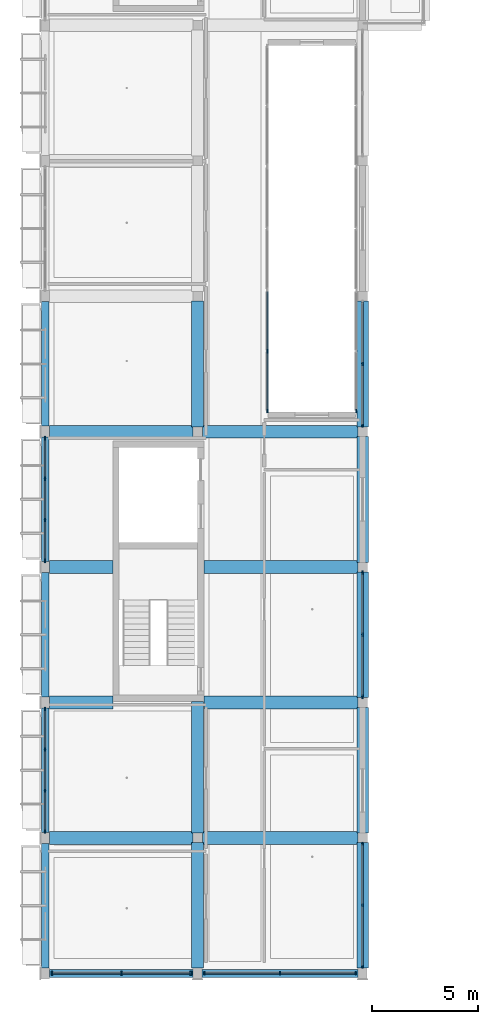
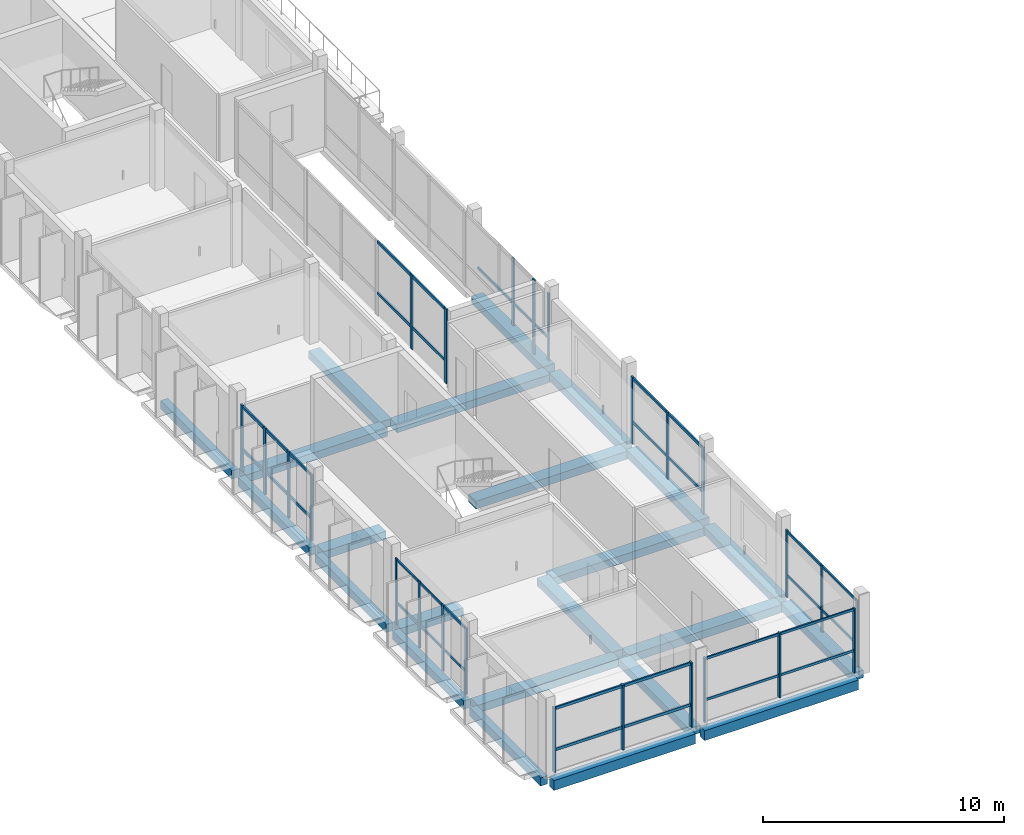
# One storey, part 3 of 48: 40 members, 23 beams, 9 elements without a shape of their own.
"""IFC4 building model written with IfcOpenShell, lengths in metres."""

from ifc_helpers import new_model, si_unit, derived_unit, direction, frame, origin, origin_2d, place, context, subcontext, project, spatial, rectangle, extrude, material, material_profile, profile_set, type_object, element, aggregate, save


model = new_model("IFC4")

# Units and contexts
model_context = context("Model", 3, precision=1e-05, world=origin(), true_north=direction((0.0, 1.0)))
body_context = subcontext(model_context, "Body", "Model", "MODEL_VIEW")
ifc_project = project(units=[si_unit("LENGTHUNIT", "METRE"), si_unit("AREAUNIT", "SQUARE_METRE"), si_unit("VOLUMEUNIT", "CUBIC_METRE"), si_unit("PLANEANGLEUNIT", "RADIAN"), si_unit("MASSUNIT", "GRAM", prefix="KILO"), derived_unit("THERMALTRANSMITTANCEUNIT", [(si_unit("POWERUNIT", "WATT"), 1), (si_unit("LENGTHUNIT", "METRE"), -2), (si_unit("THERMODYNAMICTEMPERATUREUNIT", "KELVIN"), -1)])], contexts=[model_context])

# Site, building, storey
site_placement = place(None, origin())
site = spatial("IfcSite", under=ifc_project, at=site_placement, CompositionType="ELEMENT")
building_placement = place(site_placement, origin())
building = spatial("IfcBuilding", under=site, at=building_placement, Name="Braskholm Square Health Centre", CompositionType="ELEMENT")
storey_placement = place(building_placement, frame((0.0, 0.0, 17.550048828125)))
storey = spatial("IfcBuildingStorey", under=building, at=storey_placement, Name="L05", CompositionType="ELEMENT", Elevation=17.550048828125)

# Curtain wall, members
ifc_material_1 = material(Name="Low-E triple insulating glass (VLT 0.64)", Category="glass")
curtain_wall_type_1 = type_object("IfcCurtainWallType", Name="UnitisedCurtainWall6200x3650", PredefinedType="NOTDEFINED", material=ifc_material_1)
curtain_wall_1_placement = place(storey_placement, origin())
curtain_wall_1 = element("IfcCurtainWall", 1, at=curtain_wall_1_placement, inside=storey, type_object=curtain_wall_type_1, Name="West Outer unitised curtain wall CW-L05-0030", PredefinedType="NOTDEFINED")
ifc_material_2 = material(Name="Architectural bronze anodised aluminium", Category="aluminium")
ifc_material_profile_1 = material_profile(ifc_material_2, rectangle(XDim=0.06494140625, YDim=0.14990234375, at=origin_2d()), Name="ALU-65X150")
ifc_profile_set_1 = profile_set([ifc_material_profile_1], Name="Architectural bronze anodised aluminium")
member_type_1 = type_object("IfcMemberType", Name="CurtainWallMullion65x150", PredefinedType="MULLION", material=ifc_profile_set_1)
member_1_placement = place(storey_placement, frame((4.199951171875, 16.69482421875, 0.0), z_axis=(0.0, 0.0, 1.0), x_axis=(1.0, 0.0, 0.0)))
member_1 = element("IfcMember", 2, at=member_1_placement, type_object=member_type_1, Name="CW-L05-0030 vertical mullion 1", PredefinedType="MULLION", context=body_context, shape_type="SweptSolid", body=[
    extrude(rectangle(XDim=0.06494140625, YDim=0.14990234375, at=origin_2d()), origin(), (0.0, 0.0, 1.0), 3.349853515625),
])
member_2_placement = place(storey_placement, frame((4.199951171875, 14.776611328125, 0.0), z_axis=(0.0, 0.0, 1.0), x_axis=(1.0, 0.0, 0.0)))
member_2 = element("IfcMember", 3, at=member_2_placement, type_object=member_type_1, Name="CW-L05-0030 vertical mullion 2", PredefinedType="MULLION", context=body_context, shape_type="SweptSolid", body=[
    extrude(rectangle(XDim=0.06494140625, YDim=0.14990234375, at=origin_2d()), origin(), (0.0, 0.0, 1.0), 3.349853515625),
])
member_3_placement = place(storey_placement, frame((4.199951171875, 12.8232421875, 0.0), z_axis=(0.0, 0.0, 1.0), x_axis=(1.0, 0.0, 0.0)))
member_3 = element("IfcMember", 4, at=member_3_placement, type_object=member_type_1, Name="CW-L05-0030 vertical mullion 3", PredefinedType="MULLION", context=body_context, shape_type="SweptSolid", body=[
    extrude(rectangle(XDim=0.06494140625, YDim=0.14990234375, at=origin_2d()), origin(), (0.0, 0.0, 1.0), 3.349853515625),
])
member_4_placement = place(storey_placement, frame((4.199951171875, 10.9052734375, 0.0), z_axis=(0.0, 0.0, 1.0), x_axis=(1.0, 0.0, 0.0)))
member_4 = element("IfcMember", 5, at=member_4_placement, type_object=member_type_1, Name="CW-L05-0030 vertical mullion 4", PredefinedType="MULLION", context=body_context, shape_type="SweptSolid", body=[
    extrude(rectangle(XDim=0.06494140625, YDim=0.14990234375, at=origin_2d()), origin(), (0.0, 0.0, 1.0), 3.349853515625),
])

curtain_wall_2_placement = place(storey_placement, origin())
curtain_wall_2 = element("IfcCurtainWall", 6, at=curtain_wall_2_placement, inside=storey, type_object=curtain_wall_type_1, Name="West Valley unitised curtain wall CW-L05-0102", PredefinedType="NOTDEFINED")
member_5_placement = place(storey_placement, frame((19.199951171875, 4.50537109375, 0.0), z_axis=(0.0, 0.0, 1.0), x_axis=(1.0, 0.0, 0.0)))
member_5 = element("IfcMember", 7, at=member_5_placement, type_object=member_type_1, Name="CW-L05-0102 vertical mullion 1", PredefinedType="MULLION", context=body_context, shape_type="SweptSolid", body=[
    extrude(rectangle(XDim=0.06494140625, YDim=0.14990234375, at=origin_2d()), origin(), (0.0, 0.0, 1.0), 3.389892578125),
])
member_6_placement = place(storey_placement, frame((19.199951171875, 7.4150390625, 0.0), z_axis=(0.0, 0.0, 1.0), x_axis=(1.0, 0.0, 0.0)))
member_6 = element("IfcMember", 8, at=member_6_placement, type_object=member_type_1, Name="CW-L05-0102 vertical mullion 2", PredefinedType="MULLION", context=body_context, shape_type="SweptSolid", body=[
    extrude(rectangle(XDim=0.06494140625, YDim=0.14990234375, at=origin_2d()), origin(), (0.0, 0.0, 1.0), 3.389892578125),
])
member_7_placement = place(storey_placement, frame((19.199951171875, 10.32470703125, 0.0), z_axis=(0.0, 0.0, 1.0), x_axis=(1.0, 0.0, 0.0)))
member_7 = element("IfcMember", 9, at=member_7_placement, type_object=member_type_1, Name="CW-L05-0102 vertical mullion 3", PredefinedType="MULLION", context=body_context, shape_type="SweptSolid", body=[
    extrude(rectangle(XDim=0.06494140625, YDim=0.14990234375, at=origin_2d()), origin(), (0.0, 0.0, 1.0), 3.389892578125),
])

curtain_wall_3_placement = place(storey_placement, origin())
curtain_wall_3 = element("IfcCurtainWall", 10, at=curtain_wall_3_placement, inside=storey, type_object=curtain_wall_type_1, Name="West Valley unitised curtain wall CW-L05-0104", PredefinedType="NOTDEFINED")
member_8_placement = place(storey_placement, frame((19.199951171875, 30.075439453125, 0.0), z_axis=(0.0, 0.0, 1.0), x_axis=(1.0, 0.0, 0.0)))
member_8 = element("IfcMember", 11, at=member_8_placement, type_object=member_type_1, Name="CW-L05-0104 vertical mullion 1", PredefinedType="MULLION", context=body_context, shape_type="SweptSolid", body=[
    extrude(rectangle(XDim=0.06494140625, YDim=0.14990234375, at=origin_2d()), origin(), (0.0, 0.0, 1.0), 3.389892578125),
])
member_9_placement = place(storey_placement, frame((19.199951171875, 33.0, 0.0), z_axis=(0.0, 0.0, 1.0), x_axis=(1.0, 0.0, 0.0)))
member_9 = element("IfcMember", 12, at=member_9_placement, type_object=member_type_1, Name="CW-L05-0104 vertical mullion 2", PredefinedType="MULLION", context=body_context, shape_type="SweptSolid", body=[
    extrude(rectangle(XDim=0.06494140625, YDim=0.14990234375, at=origin_2d()), origin(), (0.0, 0.0, 1.0), 3.389892578125),
])

curtain_wall_4_placement = place(storey_placement, origin())
curtain_wall_4 = element("IfcCurtainWall", 13, at=curtain_wall_4_placement, inside=storey, type_object=curtain_wall_type_1, Name="Wing End unitised curtain wall CW-L05-0150", PredefinedType="NOTDEFINED")
member_10_placement = place(storey_placement, frame((11.723388671875, 4.199951171875, 0.0), z_axis=(0.0, 0.0, 1.0), x_axis=(1.0, 0.0, 0.0)))
member_10 = element("IfcMember", 14, at=member_10_placement, type_object=member_type_1, Name="CW-L05-0150 vertical mullion 1", PredefinedType="MULLION", context=body_context, shape_type="SweptSolid", body=[
    extrude(rectangle(XDim=0.06494140625, YDim=0.14990234375, at=origin_2d()), origin(), (0.0, 0.0, 1.0), 3.27001953125),
])
member_11_placement = place(storey_placement, frame((15.300048828125, 4.199951171875, 0.0), z_axis=(0.0, 0.0, 1.0), x_axis=(1.0, 0.0, 0.0)))
member_11 = element("IfcMember", 15, at=member_11_placement, type_object=member_type_1, Name="CW-L05-0150 vertical mullion 2", PredefinedType="MULLION", context=body_context, shape_type="SweptSolid", body=[
    extrude(rectangle(XDim=0.06494140625, YDim=0.14990234375, at=origin_2d()), origin(), (0.0, 0.0, 1.0), 3.27001953125),
])
member_12_placement = place(storey_placement, frame((18.876708984375, 4.199951171875, 0.0), z_axis=(0.0, 0.0, 1.0), x_axis=(1.0, 0.0, 0.0)))
member_12 = element("IfcMember", 16, at=member_12_placement, type_object=member_type_1, Name="CW-L05-0150 vertical mullion 3", PredefinedType="MULLION", context=body_context, shape_type="SweptSolid", body=[
    extrude(rectangle(XDim=0.06494140625, YDim=0.14990234375, at=origin_2d()), origin(), (0.0, 0.0, 1.0), 3.27001953125),
])

# Curtain wall, member
curtain_wall_type_2 = type_object("IfcCurtainWallType", Name="UnitisedCurtainWall5400x3800", PredefinedType="NOTDEFINED", material=ifc_material_1)
curtain_wall_5_placement = place(storey_placement, origin())
curtain_wall_5 = element("IfcCurtainWall", 17, at=curtain_wall_5_placement, inside=storey, type_object=curtain_wall_type_2, Name="WC1 Court E unitised curtain wall CW-L05-0274", PredefinedType="NOTDEFINED")
member_13_placement = place(storey_placement, frame((18.89990234375, 30.7744140625, 0.0), z_axis=(0.0, 0.0, 1.0), x_axis=(1.0, 0.0, 0.0)))
member_13 = element("IfcMember", 18, at=member_13_placement, type_object=member_type_1, Name="CW-L05-0274 vertical mullion 3", PredefinedType="MULLION", context=body_context, shape_type="SweptSolid", body=[
    extrude(rectangle(XDim=0.06494140625, YDim=0.14990234375, at=origin_2d()), origin(), (0.0, 0.0, 1.0), 3.77001953125),
])
aggregate(curtain_wall_5, [member_13])

# Curtain wall, members
curtain_wall_6_placement = place(storey_placement, origin())
curtain_wall_6 = element("IfcCurtainWall", 19, at=curtain_wall_6_placement, inside=storey, type_object=curtain_wall_type_1, Name="West Outer unitised curtain wall CW-L05-0031", PredefinedType="NOTDEFINED")
ifc_material_profile_2 = material_profile(ifc_material_2, rectangle(XDim=0.074951171875, YDim=0.179931640625, at=origin_2d()), Name="ALU-75X180")
ifc_profile_set_2 = profile_set([ifc_material_profile_2], Name="Architectural bronze anodised aluminium")
member_type_2 = type_object("IfcMemberType", Name="CurtainWallMullion75x180", PredefinedType="MULLION", material=ifc_profile_set_2)
member_14_placement = place(storey_placement, frame((4.199951171875, 29.494873046875, 0.0), z_axis=(0.0, 0.0, 1.0), x_axis=(1.0, 0.0, 0.0)))
member_14 = element("IfcMember", 20, at=member_14_placement, type_object=member_type_2, Name="CW-L05-0031 vertical mullion 1", PredefinedType="MULLION", context=body_context, shape_type="SweptSolid", body=[
    extrude(rectangle(XDim=0.074951171875, YDim=0.179931640625, at=origin_2d()), origin(), (0.0, 0.0, 1.0), 3.349853515625),
])
member_15_placement = place(storey_placement, frame((4.199951171875, 27.57666015625, 0.0), z_axis=(0.0, 0.0, 1.0), x_axis=(1.0, 0.0, 0.0)))
member_15 = element("IfcMember", 21, at=member_15_placement, type_object=member_type_2, Name="CW-L05-0031 vertical mullion 2", PredefinedType="MULLION", context=body_context, shape_type="SweptSolid", body=[
    extrude(rectangle(XDim=0.074951171875, YDim=0.179931640625, at=origin_2d()), origin(), (0.0, 0.0, 1.0), 3.349853515625),
])
member_16_placement = place(storey_placement, frame((4.199951171875, 25.623291015625, 0.0), z_axis=(0.0, 0.0, 1.0), x_axis=(1.0, 0.0, 0.0)))
member_16 = element("IfcMember", 22, at=member_16_placement, type_object=member_type_2, Name="CW-L05-0031 vertical mullion 3", PredefinedType="MULLION", context=body_context, shape_type="SweptSolid", body=[
    extrude(rectangle(XDim=0.074951171875, YDim=0.179931640625, at=origin_2d()), origin(), (0.0, 0.0, 1.0), 3.349853515625),
])
member_17_placement = place(storey_placement, frame((4.199951171875, 23.705078125, 0.0), z_axis=(0.0, 0.0, 1.0), x_axis=(1.0, 0.0, 0.0)))
member_17 = element("IfcMember", 23, at=member_17_placement, type_object=member_type_2, Name="CW-L05-0031 vertical mullion 4", PredefinedType="MULLION", context=body_context, shape_type="SweptSolid", body=[
    extrude(rectangle(XDim=0.074951171875, YDim=0.179931640625, at=origin_2d()), origin(), (0.0, 0.0, 1.0), 3.349853515625),
])

curtain_wall_7_placement = place(storey_placement, origin())
curtain_wall_7 = element("IfcCurtainWall", 24, at=curtain_wall_7_placement, inside=storey, type_object=curtain_wall_type_1, Name="West Valley unitised curtain wall CW-L05-0103", PredefinedType="NOTDEFINED")
member_18_placement = place(storey_placement, frame((19.199951171875, 17.275390625, 0.0), z_axis=(0.0, 0.0, 1.0), x_axis=(1.0, 0.0, 0.0)))
member_18 = element("IfcMember", 25, at=member_18_placement, type_object=member_type_2, Name="CW-L05-0103 vertical mullion 1", PredefinedType="MULLION", context=body_context, shape_type="SweptSolid", body=[
    extrude(rectangle(XDim=0.074951171875, YDim=0.179931640625, at=origin_2d()), origin(), (0.0, 0.0, 1.0), 3.389892578125),
])
member_19_placement = place(storey_placement, frame((19.199951171875, 20.199951171875, 0.0), z_axis=(0.0, 0.0, 1.0), x_axis=(1.0, 0.0, 0.0)))
member_19 = element("IfcMember", 26, at=member_19_placement, type_object=member_type_2, Name="CW-L05-0103 vertical mullion 2", PredefinedType="MULLION", context=body_context, shape_type="SweptSolid", body=[
    extrude(rectangle(XDim=0.074951171875, YDim=0.179931640625, at=origin_2d()), origin(), (0.0, 0.0, 1.0), 3.389892578125),
])
member_20_placement = place(storey_placement, frame((19.199951171875, 23.12451171875, 0.0), z_axis=(0.0, 0.0, 1.0), x_axis=(1.0, 0.0, 0.0)))
member_20 = element("IfcMember", 27, at=member_20_placement, type_object=member_type_2, Name="CW-L05-0103 vertical mullion 3", PredefinedType="MULLION", context=body_context, shape_type="SweptSolid", body=[
    extrude(rectangle(XDim=0.074951171875, YDim=0.179931640625, at=origin_2d()), origin(), (0.0, 0.0, 1.0), 3.389892578125),
])

curtain_wall_8_placement = place(storey_placement, origin())
curtain_wall_8 = element("IfcCurtainWall", 28, at=curtain_wall_8_placement, inside=storey, type_object=curtain_wall_type_1, Name="Wing End unitised curtain wall CW-L05-0149", PredefinedType="NOTDEFINED")
member_21_placement = place(storey_placement, frame((4.519775390625, 4.199951171875, 0.0), z_axis=(0.0, 0.0, 1.0), x_axis=(1.0, 0.0, 0.0)))
member_21 = element("IfcMember", 29, at=member_21_placement, type_object=member_type_2, Name="CW-L05-0149 vertical mullion 1", PredefinedType="MULLION", context=body_context, shape_type="SweptSolid", body=[
    extrude(rectangle(XDim=0.074951171875, YDim=0.179931640625, at=origin_2d()), origin(), (0.0, 0.0, 1.0), 3.27001953125),
])
member_22_placement = place(storey_placement, frame((7.800048828125, 4.199951171875, 0.0), z_axis=(0.0, 0.0, 1.0), x_axis=(1.0, 0.0, 0.0)))
member_22 = element("IfcMember", 30, at=member_22_placement, type_object=member_type_2, Name="CW-L05-0149 vertical mullion 2", PredefinedType="MULLION", context=body_context, shape_type="SweptSolid", body=[
    extrude(rectangle(XDim=0.074951171875, YDim=0.179931640625, at=origin_2d()), origin(), (0.0, 0.0, 1.0), 3.27001953125),
])
member_23_placement = place(storey_placement, frame((11.080078125, 4.199951171875, 0.0), z_axis=(0.0, 0.0, 1.0), x_axis=(1.0, 0.0, 0.0)))
member_23 = element("IfcMember", 31, at=member_23_placement, type_object=member_type_2, Name="CW-L05-0149 vertical mullion 3", PredefinedType="MULLION", context=body_context, shape_type="SweptSolid", body=[
    extrude(rectangle(XDim=0.074951171875, YDim=0.179931640625, at=origin_2d()), origin(), (0.0, 0.0, 1.0), 3.27001953125),
])

curtain_wall_9_placement = place(storey_placement, origin())
curtain_wall_9 = element("IfcCurtainWall", 32, at=curtain_wall_9_placement, inside=storey, type_object=curtain_wall_type_2, Name="WC1 Court W unitised curtain wall CW-L05-0273", PredefinedType="NOTDEFINED")
member_24_placement = place(storey_placement, frame((14.699951171875, 30.7744140625, 0.0), z_axis=(0.0, 0.0, 1.0), x_axis=(1.0, 0.0, 0.0)))
member_24 = element("IfcMember", 33, at=member_24_placement, type_object=member_type_2, Name="CW-L05-0273 vertical mullion 1", PredefinedType="MULLION", context=body_context, shape_type="SweptSolid", body=[
    extrude(rectangle(XDim=0.074951171875, YDim=0.179931640625, at=origin_2d()), origin(), (0.0, 0.0, 1.0), 3.77001953125),
])
member_25_placement = place(storey_placement, frame((14.699951171875, 33.60107421875, 0.0), z_axis=(0.0, 0.0, 1.0), x_axis=(1.0, 0.0, 0.0)))
member_25 = element("IfcMember", 34, at=member_25_placement, type_object=member_type_2, Name="CW-L05-0273 vertical mullion 2", PredefinedType="MULLION", context=body_context, shape_type="SweptSolid", body=[
    extrude(rectangle(XDim=0.074951171875, YDim=0.179931640625, at=origin_2d()), origin(), (0.0, 0.0, 1.0), 3.77001953125),
])

# Member
ifc_material_profile_3 = material_profile(ifc_material_2, rectangle(XDim=0.06494140625, YDim=0.1201171875, at=origin_2d()), Name="ALU-65X120")
ifc_profile_set_3 = profile_set([ifc_material_profile_3], Name="Architectural bronze anodised aluminium")
member_type_3 = type_object("IfcMemberType", Name="CurtainWallTransom65x120", PredefinedType="USERDEFINED", material=ifc_profile_set_3)
member_26_placement = place(storey_placement, frame((4.199951171875, 16.68505859375, 1.119873046875), z_axis=(0.0, -1.0, 0.0), x_axis=(1.0, 0.0, 0.0)))
member_26 = element("IfcMember", 35, at=member_26_placement, type_object=member_type_3, Name="CW-L05-0030 horizontal transom 1", ObjectType="TRANSOM", PredefinedType="USERDEFINED", context=body_context, shape_type="SweptSolid", body=[
    extrude(rectangle(XDim=0.06494140625, YDim=0.1201171875, at=origin_2d()), origin(), (0.0, 0.0, 1.0), 5.77001953125),
])

member_27_placement = place(storey_placement, frame((4.199951171875, 16.68505859375, 3.280029296875), z_axis=(0.0, -1.0, 0.0), x_axis=(1.0, 0.0, 0.0)))
member_27 = element("IfcMember", 36, at=member_27_placement, type_object=member_type_3, Name="CW-L05-0030 horizontal transom 2", ObjectType="TRANSOM", PredefinedType="USERDEFINED", context=body_context, shape_type="SweptSolid", body=[
    extrude(rectangle(XDim=0.06494140625, YDim=0.1201171875, at=origin_2d()), origin(), (0.0, 0.0, 1.0), 5.77001953125),
])

aggregate(curtain_wall_1, [member_1, member_2, member_3, member_4, member_26, member_27])

member_28_placement = place(storey_placement, frame((19.199951171875, 4.514892578125, 1.119873046875), z_axis=(0.0, 1.0, 0.0), x_axis=(-1.0, 0.0, 0.0)))
member_28 = element("IfcMember", 37, at=member_28_placement, type_object=member_type_3, Name="CW-L05-0102 horizontal transom 1", ObjectType="TRANSOM", PredefinedType="USERDEFINED", context=body_context, shape_type="SweptSolid", body=[
    extrude(rectangle(XDim=0.06494140625, YDim=0.1201171875, at=origin_2d()), origin(), (0.0, 0.0, 1.0), 5.800048828125),
])

member_29_placement = place(storey_placement, frame((19.199951171875, 4.514892578125, 3.320068359375), z_axis=(0.0, 1.0, 0.0), x_axis=(-1.0, 0.0, 0.0)))
member_29 = element("IfcMember", 38, at=member_29_placement, type_object=member_type_3, Name="CW-L05-0102 horizontal transom 2", ObjectType="TRANSOM", PredefinedType="USERDEFINED", context=body_context, shape_type="SweptSolid", body=[
    extrude(rectangle(XDim=0.06494140625, YDim=0.1201171875, at=origin_2d()), origin(), (0.0, 0.0, 1.0), 5.800048828125),
])

aggregate(curtain_wall_2, [member_5, member_6, member_7, member_28, member_29])

member_30_placement = place(storey_placement, frame((19.199951171875, 30.0849609375, 1.119873046875), z_axis=(0.0, 1.0, 0.0), x_axis=(-1.0, 0.0, 0.0)))
member_30 = element("IfcMember", 39, at=member_30_placement, type_object=member_type_3, Name="CW-L05-0104 horizontal transom 1", ObjectType="TRANSOM", PredefinedType="USERDEFINED", context=body_context, shape_type="SweptSolid", body=[
    extrude(rectangle(XDim=0.06494140625, YDim=0.1201171875, at=origin_2d()), origin(), (0.0, 0.0, 1.0), 5.830078125),
])

aggregate(curtain_wall_3, [member_8, member_9, member_30])

member_31_placement = place(storey_placement, frame((11.72509765625, 4.199951171875, 1.119873046875), z_axis=(1.0, 0.0, 0.0), x_axis=(0.0, 1.0, 0.0)))
member_31 = element("IfcMember", 40, at=member_31_placement, type_object=member_type_3, Name="CW-L05-0150 horizontal transom 1", ObjectType="TRANSOM", PredefinedType="USERDEFINED", context=body_context, shape_type="SweptSolid", body=[
    extrude(rectangle(XDim=0.06494140625, YDim=0.1201171875, at=origin_2d()), origin(), (0.0, 0.0, 1.0), 7.14990234375),
])

member_32_placement = place(storey_placement, frame((11.72509765625, 4.199951171875, 3.199951171875), z_axis=(1.0, 0.0, 0.0), x_axis=(0.0, 1.0, 0.0)))
member_32 = element("IfcMember", 41, at=member_32_placement, type_object=member_type_3, Name="CW-L05-0150 horizontal transom 2", ObjectType="TRANSOM", PredefinedType="USERDEFINED", context=body_context, shape_type="SweptSolid", body=[
    extrude(rectangle(XDim=0.06494140625, YDim=0.1201171875, at=origin_2d()), origin(), (0.0, 0.0, 1.0), 7.14990234375),
])

aggregate(curtain_wall_4, [member_10, member_11, member_12, member_31, member_32])

ifc_material_profile_4 = material_profile(ifc_material_2, rectangle(XDim=0.074951171875, YDim=0.139892578125, at=origin_2d()), Name="ALU-75X140")
ifc_profile_set_4 = profile_set([ifc_material_profile_4], Name="Architectural bronze anodised aluminium")
member_type_4 = type_object("IfcMemberType", Name="CurtainWallTransom75x140", PredefinedType="USERDEFINED", material=ifc_profile_set_4)
member_33_placement = place(storey_placement, frame((4.199951171875, 29.485107421875, 1.119873046875), z_axis=(0.0, -1.0, 0.0), x_axis=(1.0, 0.0, 0.0)))
member_33 = element("IfcMember", 42, at=member_33_placement, type_object=member_type_4, Name="CW-L05-0031 horizontal transom 1", ObjectType="TRANSOM", PredefinedType="USERDEFINED", context=body_context, shape_type="SweptSolid", body=[
    extrude(rectangle(XDim=0.074951171875, YDim=0.139892578125, at=origin_2d()), origin(), (0.0, 0.0, 1.0), 5.77001953125),
])

member_34_placement = place(storey_placement, frame((4.199951171875, 29.485107421875, 3.280029296875), z_axis=(0.0, -1.0, 0.0), x_axis=(1.0, 0.0, 0.0)))
member_34 = element("IfcMember", 43, at=member_34_placement, type_object=member_type_4, Name="CW-L05-0031 horizontal transom 2", ObjectType="TRANSOM", PredefinedType="USERDEFINED", context=body_context, shape_type="SweptSolid", body=[
    extrude(rectangle(XDim=0.074951171875, YDim=0.139892578125, at=origin_2d()), origin(), (0.0, 0.0, 1.0), 5.77001953125),
])

aggregate(curtain_wall_6, [member_14, member_15, member_16, member_17, member_33, member_34])

member_35_placement = place(storey_placement, frame((19.199951171875, 17.284912109375, 1.119873046875), z_axis=(0.0, 1.0, 0.0), x_axis=(-1.0, 0.0, 0.0)))
member_35 = element("IfcMember", 44, at=member_35_placement, type_object=member_type_4, Name="CW-L05-0103 horizontal transom 1", ObjectType="TRANSOM", PredefinedType="USERDEFINED", context=body_context, shape_type="SweptSolid", body=[
    extrude(rectangle(XDim=0.074951171875, YDim=0.139892578125, at=origin_2d()), origin(), (0.0, 0.0, 1.0), 5.830078125),
])

member_36_placement = place(storey_placement, frame((19.199951171875, 17.284912109375, 3.320068359375), z_axis=(0.0, 1.0, 0.0), x_axis=(-1.0, 0.0, 0.0)))
member_36 = element("IfcMember", 45, at=member_36_placement, type_object=member_type_4, Name="CW-L05-0103 horizontal transom 2", ObjectType="TRANSOM", PredefinedType="USERDEFINED", context=body_context, shape_type="SweptSolid", body=[
    extrude(rectangle(XDim=0.074951171875, YDim=0.139892578125, at=origin_2d()), origin(), (0.0, 0.0, 1.0), 5.830078125),
])

aggregate(curtain_wall_7, [member_18, member_19, member_20, member_35, member_36])

member_37_placement = place(storey_placement, frame((4.52490234375, 4.199951171875, 1.119873046875), z_axis=(1.0, 0.0, 0.0), x_axis=(0.0, 1.0, 0.0)))
member_37 = element("IfcMember", 46, at=member_37_placement, type_object=member_type_4, Name="CW-L05-0149 horizontal transom 1", ObjectType="TRANSOM", PredefinedType="USERDEFINED", context=body_context, shape_type="SweptSolid", body=[
    extrude(rectangle(XDim=0.074951171875, YDim=0.139892578125, at=origin_2d()), origin(), (0.0, 0.0, 1.0), 6.550048828125),
])

member_38_placement = place(storey_placement, frame((4.52490234375, 4.199951171875, 3.199951171875), z_axis=(1.0, 0.0, 0.0), x_axis=(0.0, 1.0, 0.0)))
member_38 = element("IfcMember", 47, at=member_38_placement, type_object=member_type_4, Name="CW-L05-0149 horizontal transom 2", ObjectType="TRANSOM", PredefinedType="USERDEFINED", context=body_context, shape_type="SweptSolid", body=[
    extrude(rectangle(XDim=0.074951171875, YDim=0.139892578125, at=origin_2d()), origin(), (0.0, 0.0, 1.0), 6.550048828125),
])

aggregate(curtain_wall_8, [member_21, member_22, member_23, member_37, member_38])

member_39_placement = place(storey_placement, frame((14.699951171875, 30.784912109375, 1.119873046875), z_axis=(0.0, 1.0, 0.0), x_axis=(-1.0, 0.0, 0.0)))
member_39 = element("IfcMember", 48, at=member_39_placement, type_object=member_type_4, Name="CW-L05-0273 horizontal transom 1", ObjectType="TRANSOM", PredefinedType="USERDEFINED", context=body_context, shape_type="SweptSolid", body=[
    extrude(rectangle(XDim=0.074951171875, YDim=0.139892578125, at=origin_2d()), origin(), (0.0, 0.0, 1.0), 5.632080078125),
])

member_40_placement = place(storey_placement, frame((14.699951171875, 30.784912109375, 3.699951171875), z_axis=(0.0, 1.0, 0.0), x_axis=(-1.0, 0.0, 0.0)))
member_40 = element("IfcMember", 49, at=member_40_placement, type_object=member_type_4, Name="CW-L05-0273 horizontal transom 2", ObjectType="TRANSOM", PredefinedType="USERDEFINED", context=body_context, shape_type="SweptSolid", body=[
    extrude(rectangle(XDim=0.074951171875, YDim=0.139892578125, at=origin_2d()), origin(), (0.0, 0.0, 1.0), 5.632080078125),
])

aggregate(curtain_wall_9, [member_24, member_25, member_39, member_40])

# Beams
ifc_material_3 = material(Name="Concrete C35/45 (f'c = 35 MPa)", Category="concrete")
ifc_material_profile_5 = material_profile(ifc_material_3, rectangle(XDim=0.550048828125, YDim=0.3798828125, at=origin_2d()), Name="RCB-550X380")
ifc_profile_set_5 = profile_set([ifc_material_profile_5], Name="Concrete C35/45 (f'c = 35 MPa)")
beam_type_1 = type_object("IfcBeamType", Name="PrimaryBandBeam550x380", PredefinedType="BEAM", material=ifc_profile_set_5)
beam_1_placement = place(storey_placement, frame((11.39990234375, 4.4599609375, -0.489990234375), z_axis=(0.0, 1.0, 0.0), x_axis=(-1.0, 0.0, 0.0)))
element("IfcBeam", 50, at=beam_1_placement, inside=storey, type_object=beam_type_1, Name="Beam 2/A-B L05", PredefinedType="BEAM", context=body_context, shape_type="SweptSolid", body=[
    extrude(rectangle(XDim=0.550048828125, YDim=0.3798828125, at=origin_2d()), origin(), (0.0, 0.0, 1.0), 5.9150390625),
])
beam_2_placement = place(storey_placement, frame((11.39990234375, 10.824951171875, -0.489990234375), z_axis=(0.0, 1.0, 0.0), x_axis=(-1.0, 0.0, 0.0)))
element("IfcBeam", 51, at=beam_2_placement, inside=storey, type_object=beam_type_1, Name="Beam 2/B-E L05", PredefinedType="BEAM", context=body_context, shape_type="SweptSolid", body=[
    extrude(rectangle(XDim=0.550048828125, YDim=0.3798828125, at=origin_2d()), origin(), (0.0, 0.0, 1.0), 6.22509765625),
])
beam_3_placement = place(storey_placement, frame((11.39990234375, 30.02490234375, -0.489990234375), z_axis=(0.0, 1.0, 0.0), x_axis=(-1.0, 0.0, 0.0)))
element("IfcBeam", 52, at=beam_3_placement, inside=storey, type_object=beam_type_1, Name="Beam 2/E-F L05", PredefinedType="BEAM", context=body_context, shape_type="SweptSolid", body=[
    extrude(rectangle(XDim=0.550048828125, YDim=0.3798828125, at=origin_2d()), origin(), (0.0, 0.0, 1.0), 5.9501953125),
])
beam_4_placement = place(storey_placement, frame((19.199951171875, 4.4599609375, -0.43994140625), z_axis=(0.0, 1.0, 0.0), x_axis=(-1.0, 0.0, 0.0)))
element("IfcBeam", 53, at=beam_4_placement, inside=storey, type_object=beam_type_1, Name="Beam 3/A-B L05", PredefinedType="BEAM", context=body_context, shape_type="SweptSolid", body=[
    extrude(rectangle(XDim=0.550048828125, YDim=0.3798828125, at=origin_2d()), origin(), (0.0, 0.0, 1.0), 5.9150390625),
])
for number, where, z_axis, x_axis, name in (
    (54, (19.199951171875, 10.824951171875, -0.43994140625), (0.0, 1.0, 0.0), (-1.0, 0.0, 0.0), "Beam 3/B-C L05"),
    (55, (19.199951171875, 17.22509765625, -0.43994140625), (0.0, 1.0, 0.0), (-1.0, 0.0, 0.0), "Beam 3/C-D L05"),
    (56, (19.199951171875, 23.625, -0.43994140625), (0.0, 1.0, 0.0), (-1.0, 0.0, 0.0), "Beam 3/D-E L05"),
):
    element("IfcBeam", number, at=place(storey_placement, frame(where, z_axis=z_axis, x_axis=x_axis)), inside=storey, type_object=beam_type_1, Name=name, PredefinedType="BEAM", context=body_context, shape_type="SweptSolid", body=[
        extrude(rectangle(XDim=0.550048828125, YDim=0.3798828125, at=origin_2d()), origin(), (0.0, 0.0, 1.0), 5.949951171875),
    ])
beam_5_placement = place(storey_placement, frame((19.199951171875, 30.02490234375, -0.43994140625), z_axis=(0.0, 1.0, 0.0), x_axis=(-1.0, 0.0, 0.0)))
element("IfcBeam", 57, at=beam_5_placement, inside=storey, type_object=beam_type_1, Name="Beam 3/E-F L05", PredefinedType="BEAM", context=body_context, shape_type="SweptSolid", body=[
    extrude(rectangle(XDim=0.550048828125, YDim=0.3798828125, at=origin_2d()), origin(), (0.0, 0.0, 1.0), 5.9501953125),
])
ifc_material_profile_6 = material_profile(ifc_material_3, rectangle(XDim=0.60009765625, YDim=0.39990234375, at=origin_2d()), Name="RCB-600X400")
ifc_profile_set_6 = profile_set([ifc_material_profile_6], Name="Concrete C35/45 (f'c = 35 MPa)")
beam_type_2 = type_object("IfcBeamType", Name="PrimaryBandBeam600x400", PredefinedType="BEAM", material=ifc_profile_set_6)
beam_6_placement = place(storey_placement, frame((4.409912109375, 10.60009765625, -0.5), z_axis=(1.0, 0.0, 0.0), x_axis=(0.0, 1.0, 0.0)))
element("IfcBeam", 58, at=beam_6_placement, inside=storey, type_object=beam_type_2, Name="Beam 1-2/B L05", PredefinedType="BEAM", context=body_context, shape_type="SweptSolid", body=[
    extrude(rectangle(XDim=0.60009765625, YDim=0.39990234375, at=origin_2d()), origin(), (0.0, 0.0, 1.0), 6.76513671875),
])
beam_7_placement = place(storey_placement, frame((11.625, 10.60009765625, -0.5), z_axis=(1.0, 0.0, 0.0), x_axis=(0.0, 1.0, 0.0)))
element("IfcBeam", 59, at=beam_7_placement, inside=storey, type_object=beam_type_2, Name="Beam 2-3/B L05", PredefinedType="BEAM", context=body_context, shape_type="SweptSolid", body=[
    extrude(rectangle(XDim=0.60009765625, YDim=0.39990234375, at=origin_2d()), origin(), (0.0, 0.0, 1.0), 7.35009765625),
])
beam_8_placement = place(storey_placement, frame((4.409912109375, 17.0, -0.5), z_axis=(1.0, 0.0, 0.0), x_axis=(0.0, 1.0, 0.0)))
element("IfcBeam", 60, at=beam_8_placement, inside=storey, type_object=beam_type_2, Name="Beam 1-3/C L05", PredefinedType="BEAM", context=body_context, shape_type="SweptSolid", body=[
    extrude(rectangle(XDim=0.60009765625, YDim=0.39990234375, at=origin_2d()), origin(), (0.0, 0.0, 1.0), 2.989990234375),
])
beam_9_placement = place(storey_placement, frame((11.699951171875, 17.0, -0.5), z_axis=(1.0, 0.0, 0.0), x_axis=(0.0, 1.0, 0.0)))
element("IfcBeam", 61, at=beam_9_placement, inside=storey, type_object=beam_type_2, Name="Beam 1-3/C L05", PredefinedType="BEAM", context=body_context, shape_type="SweptSolid", body=[
    extrude(rectangle(XDim=0.60009765625, YDim=0.39990234375, at=origin_2d()), origin(), (0.0, 0.0, 1.0), 7.275146484375),
])
beam_10_placement = place(storey_placement, frame((4.409912109375, 23.39990234375, -0.5), z_axis=(1.0, 0.0, 0.0), x_axis=(0.0, 1.0, 0.0)))
element("IfcBeam", 62, at=beam_10_placement, inside=storey, type_object=beam_type_2, Name="Beam 1-3/D L05", PredefinedType="BEAM", context=body_context, shape_type="SweptSolid", body=[
    extrude(rectangle(XDim=0.60009765625, YDim=0.39990234375, at=origin_2d()), origin(), (0.0, 0.0, 1.0), 2.989990234375),
])
beam_11_placement = place(storey_placement, frame((11.699951171875, 23.39990234375, -0.5), z_axis=(1.0, 0.0, 0.0), x_axis=(0.0, 1.0, 0.0)))
element("IfcBeam", 63, at=beam_11_placement, inside=storey, type_object=beam_type_2, Name="Beam 1-3/D L05", PredefinedType="BEAM", context=body_context, shape_type="SweptSolid", body=[
    extrude(rectangle(XDim=0.60009765625, YDim=0.39990234375, at=origin_2d()), origin(), (0.0, 0.0, 1.0), 7.275146484375),
])
beam_12_placement = place(storey_placement, frame((4.409912109375, 29.800048828125, -0.5), z_axis=(1.0, 0.0, 0.0), x_axis=(0.0, 1.0, 0.0)))
element("IfcBeam", 64, at=beam_12_placement, inside=storey, type_object=beam_type_2, Name="Beam 1-2/E L05", PredefinedType="BEAM", context=body_context, shape_type="SweptSolid", body=[
    extrude(rectangle(XDim=0.60009765625, YDim=0.39990234375, at=origin_2d()), origin(), (0.0, 0.0, 1.0), 6.76513671875),
])
beam_13_placement = place(storey_placement, frame((11.625, 29.800048828125, -0.5), z_axis=(1.0, 0.0, 0.0), x_axis=(0.0, 1.0, 0.0)))
element("IfcBeam", 65, at=beam_13_placement, inside=storey, type_object=beam_type_2, Name="Beam 2-3/E L05", PredefinedType="BEAM", context=body_context, shape_type="SweptSolid", body=[
    extrude(rectangle(XDim=0.60009765625, YDim=0.39990234375, at=origin_2d()), origin(), (0.0, 0.0, 1.0), 7.35009765625),
])
ifc_material_4 = material(Name="Precast concrete C40/50 architectural white", Category="concrete")
ifc_material_profile_7 = material_profile(ifc_material_4, rectangle(XDim=0.340087890625, YDim=0.419921875, at=origin_2d()), Name="RCB-340X420")
ifc_profile_set_7 = profile_set([ifc_material_profile_7], Name="Precast concrete C40/50 architectural white")
beam_type_3 = type_object("IfcBeamType", Name="SpandrelCrownEdge340x420", PredefinedType="SPANDREL", material=ifc_profile_set_7)
beam_14_placement = place(storey_placement, frame((4.199951171875, 4.4599609375, -0.510009765625), z_axis=(0.0, 1.0, 0.0), x_axis=(-1.0, 0.0, 0.0)))
element("IfcBeam", 66, at=beam_14_placement, inside=storey, type_object=beam_type_3, Name="Beam 1/A-B L05", PredefinedType="SPANDREL", context=body_context, shape_type="SweptSolid", body=[
    extrude(rectangle(XDim=0.340087890625, YDim=0.419921875, at=origin_2d()), origin(), (0.0, 0.0, 1.0), 5.880126953125),
])
for number, where, z_axis, x_axis, name in (
    (67, (4.199951171875, 10.860107421875, -0.510009765625), (0.0, 1.0, 0.0), (-1.0, 0.0, 0.0), "Beam 1/B-C L05"),
    (68, (4.199951171875, 17.260009765625, -0.510009765625), (0.0, 1.0, 0.0), (-1.0, 0.0, 0.0), "Beam 1/C-D L05"),
):
    element("IfcBeam", number, at=place(storey_placement, frame(where, z_axis=z_axis, x_axis=x_axis)), inside=storey, type_object=beam_type_3, Name=name, PredefinedType="SPANDREL", context=body_context, shape_type="SweptSolid", body=[
        extrude(rectangle(XDim=0.340087890625, YDim=0.419921875, at=origin_2d()), origin(), (0.0, 0.0, 1.0), 5.8798828125),
    ])
beam_15_placement = place(storey_placement, frame((4.199951171875, 23.659912109375, -0.510009765625), z_axis=(0.0, 1.0, 0.0), x_axis=(-1.0, 0.0, 0.0)))
element("IfcBeam", 69, at=beam_15_placement, inside=storey, type_object=beam_type_3, Name="Beam 1/D-E L05", PredefinedType="SPANDREL", context=body_context, shape_type="SweptSolid", body=[
    extrude(rectangle(XDim=0.340087890625, YDim=0.419921875, at=origin_2d()), origin(), (0.0, 0.0, 1.0), 5.880126953125),
])
beam_16_placement = place(storey_placement, frame((4.199951171875, 30.06005859375, -0.510009765625), z_axis=(0.0, 1.0, 0.0), x_axis=(-1.0, 0.0, 0.0)))
element("IfcBeam", 70, at=beam_16_placement, inside=storey, type_object=beam_type_3, Name="Beam 1/E-F L05", PredefinedType="SPANDREL", context=body_context, shape_type="SweptSolid", body=[
    extrude(rectangle(XDim=0.340087890625, YDim=0.419921875, at=origin_2d()), origin(), (0.0, 0.0, 1.0), 5.8798828125),
])
ifc_material_profile_8 = material_profile(ifc_material_4, rectangle(XDim=0.3798828125, YDim=0.5, at=origin_2d()), Name="RCB-380X500")
ifc_profile_set_8 = profile_set([ifc_material_profile_8], Name="Precast concrete C40/50 architectural white")
beam_type_4 = type_object("IfcBeamType", Name="SpandrelPrecastEdge380x500", PredefinedType="SPANDREL", material=ifc_profile_set_8)
beam_17_placement = place(storey_placement, frame((4.409912109375, 4.199951171875, -0.550048828125), z_axis=(1.0, 0.0, 0.0), x_axis=(0.0, 1.0, 0.0)))
element("IfcBeam", 71, at=beam_17_placement, inside=storey, type_object=beam_type_4, Name="Beam 1-2/A L05", PredefinedType="SPANDREL", context=body_context, shape_type="SweptSolid", body=[
    extrude(rectangle(XDim=0.3798828125, YDim=0.5, at=origin_2d()), origin(), (0.0, 0.0, 1.0), 6.780029296875),
])
beam_18_placement = place(storey_placement, frame((11.610107421875, 4.199951171875, -0.550048828125), z_axis=(1.0, 0.0, 0.0), x_axis=(0.0, 1.0, 0.0)))
element("IfcBeam", 72, at=beam_18_placement, inside=storey, type_object=beam_type_4, Name="Beam 2-3/A L05", PredefinedType="SPANDREL", context=body_context, shape_type="SweptSolid", body=[
    extrude(rectangle(XDim=0.3798828125, YDim=0.5, at=origin_2d()), origin(), (0.0, 0.0, 1.0), 7.3798828125),
])

save(model, "model.ifc")
